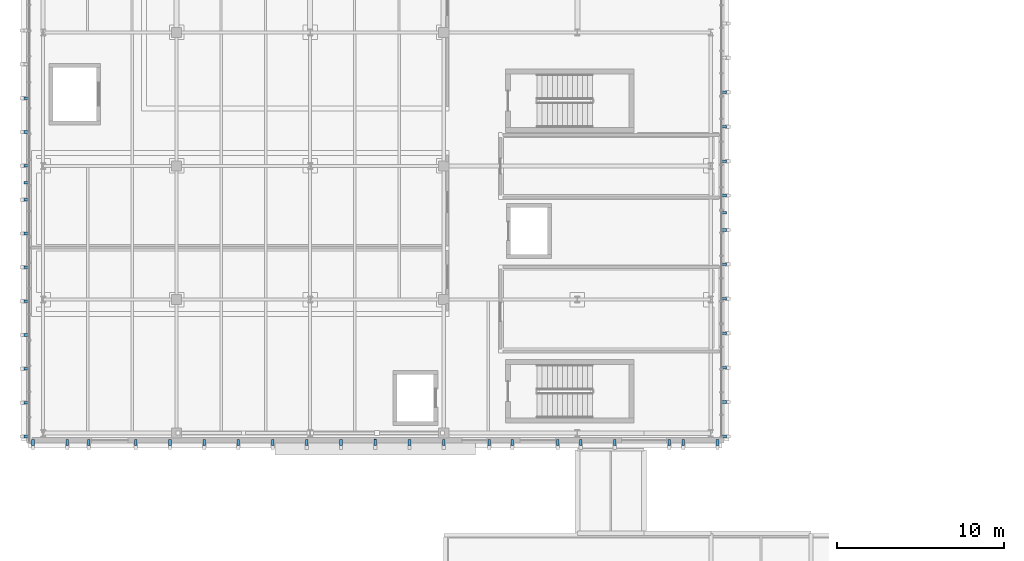
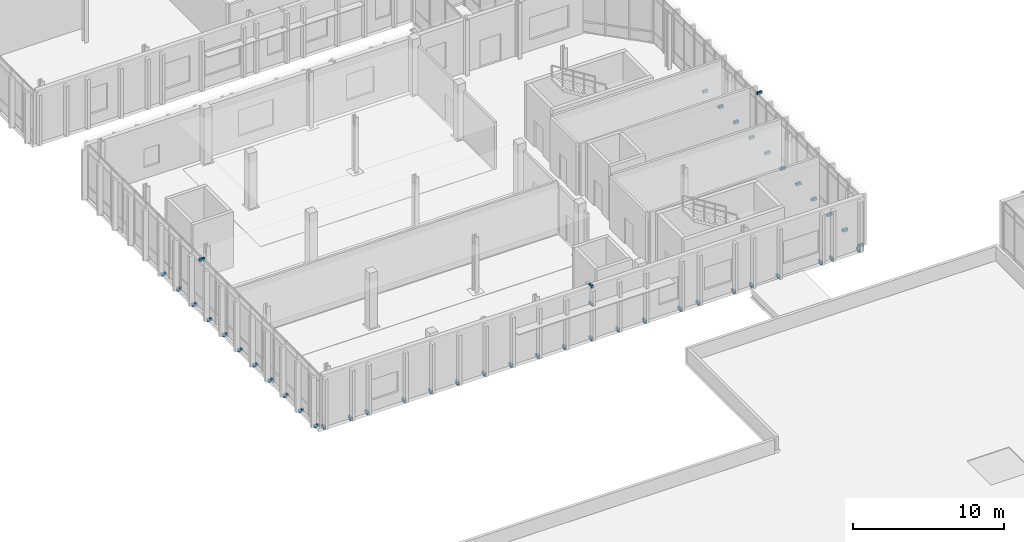
# One storey, part 68 of 86: 47 discrete accessories.
"""IFC4 building model written with IfcOpenShell, lengths in metres."""

from ifc_helpers import new_model, si_unit, direction, frame, origin, origin_2d, place, context, subcontext, project, spatial, rectangle, extrude, material, type_object, element, save


model = new_model("IFC4")

# Units and contexts
model_context = context("Model", 3, precision=1e-05, world=origin(), true_north=direction((0.0, 1.0)))
body_context = subcontext(model_context, "Body", "Model", "MODEL_VIEW")
ifc_project = project(units=[si_unit("LENGTHUNIT", "METRE"), si_unit("AREAUNIT", "SQUARE_METRE"), si_unit("VOLUMEUNIT", "CUBIC_METRE"), si_unit("PLANEANGLEUNIT", "RADIAN"), si_unit("MASSUNIT", "GRAM", prefix="KILO")], contexts=[model_context])

# Site, building, storey
site_placement = place(None, origin())
site = spatial("IfcSite", under=ifc_project, at=site_placement, CompositionType="ELEMENT")
building_placement = place(site_placement, origin())
building = spatial("IfcBuilding", under=site, at=building_placement, Name="Cymarion Research Institute", CompositionType="ELEMENT")
storey_placement = place(building_placement, frame((0.0, 0.0, 13.800048828125)))
storey = spatial("IfcBuildingStorey", under=building, at=storey_placement, Name="L03", CompositionType="ELEMENT", Elevation=13.800048828125)

# Discrete accessories
ifc_material = material(Name="Steel S355", Category="steel")
discrete_accessory_type = type_object("IfcDiscreteAccessoryType", Name="STAINLESS STEEL FACADE FIN BRACKET FBK1", PredefinedType="BRACKET", material=ifc_material)
discrete_accessory_1_placement = place(storey_placement, frame((26.5, 46.93994140625, 4.169921875), z_axis=(0.0, 0.0, 1.0), x_axis=(0.0, -1.0, 0.0)))
element("IfcDiscreteAccessory", 1, at=discrete_accessory_1_placement, inside=storey, type_object=discrete_accessory_type, Name="L03 V4 spandrel brow anchor bracket #665", PredefinedType="BRACKET", context=body_context, shape_type="SweptSolid", body=[
    extrude(rectangle(XDim=0.3798828125, YDim=0.159912109375, at=origin_2d()), origin(), (0.0, 0.0, 1.0), 0.199951171875),
])
for number, where, z_axis, x_axis, name in (
    (2, (6.0, 46.93994140625, -0.08984375), (0.0, 0.0, 1.0), (0.0, -1.0, 0.0), "L03 V4 vertical rib anchor bracket #666"),
    (3, (8.050048828125, 46.93994140625, -0.08984375), (0.0, 0.0, 1.0), (0.0, -1.0, 0.0), "L03 V4 vertical rib anchor bracket #667"),
    (4, (9.340087890625, 46.93994140625, -0.08984375), (0.0, 0.0, 1.0), (0.0, -1.0, 0.0), "L03 V4 vertical rib anchor bracket #668"),
    (5, (12.14990234375, 46.93994140625, -0.08984375), (0.0, 0.0, 1.0), (0.0, -1.0, 0.0), "L03 V4 vertical rib anchor bracket #669"),
    (6, (14.199951171875, 46.93994140625, -0.08984375), (0.0, 0.0, 1.0), (0.0, -1.0, 0.0), "L03 V4 vertical rib anchor bracket #670"),
    (7, (16.25, 46.93994140625, -0.08984375), (0.0, 0.0, 1.0), (0.0, -1.0, 0.0), "L03 V4 vertical rib anchor bracket #671"),
    (8, (18.300048828125, 46.93994140625, -0.08984375), (0.0, 0.0, 1.0), (0.0, -1.0, 0.0), "L03 V4 vertical rib anchor bracket #672"),
    (9, (20.35009765625, 46.93994140625, -0.08984375), (0.0, 0.0, 1.0), (0.0, -1.0, 0.0), "L03 V4 vertical rib anchor bracket #673"),
    (10, (22.39990234375, 46.93994140625, -0.08984375), (0.0, 0.0, 1.0), (0.0, -1.0, 0.0), "L03 V4 vertical rib anchor bracket #674"),
    (11, (24.449951171875, 46.93994140625, -0.08984375), (0.0, 0.0, 1.0), (0.0, -1.0, 0.0), "L03 V4 vertical rib anchor bracket #675"),
    (12, (26.5, 46.93994140625, -0.08984375), (0.0, 0.0, 1.0), (0.0, -1.0, 0.0), "L03 V4 vertical rib anchor bracket #676"),
    (13, (28.550048828125, 46.93994140625, -0.08984375), (0.0, 0.0, 1.0), (0.0, -1.0, 0.0), "L03 V4 vertical rib anchor bracket #677"),
    (14, (30.60009765625, 46.93994140625, -0.08984375), (0.0, 0.0, 1.0), (0.0, -1.0, 0.0), "L03 V4 vertical rib anchor bracket #678"),
    (15, (33.330078125, 46.93994140625, -0.08984375), (0.0, 0.0, 1.0), (0.0, -1.0, 0.0), "L03 V4 vertical rib anchor bracket #679"),
    (16, (34.699951171875, 46.93994140625, -0.08984375), (0.0, 0.0, 1.0), (0.0, -1.0, 0.0), "L03 V4 vertical rib anchor bracket #680"),
    (17, (37.429931640625, 46.93994140625, -0.08984375), (0.0, 0.0, 1.0), (0.0, -1.0, 0.0), "L03 V4 vertical rib anchor bracket #681"),
    (18, (38.800048828125, 46.93994140625, -0.08984375), (0.0, 0.0, 1.0), (0.0, -1.0, 0.0), "L03 V4 vertical rib anchor bracket #682"),
    (19, (40.85009765625, 46.93994140625, -0.08984375), (0.0, 0.0, 1.0), (0.0, -1.0, 0.0), "L03 V4 vertical rib anchor bracket #683"),
    (20, (44.10009765625, 46.93994140625, -0.08984375), (0.0, 0.0, 1.0), (0.0, -1.0, 0.0), "L03 V4 vertical rib anchor bracket #684"),
    (21, (44.949951171875, 46.93994140625, -0.08984375), (0.0, 0.0, 1.0), (0.0, -1.0, 0.0), "L03 V4 vertical rib anchor bracket #685"),
    (22, (47.0, 46.93994140625, -0.08984375), (0.0, 0.0, 1.0), (0.0, -1.0, 0.0), "L03 V4 vertical rib anchor bracket #686"),
):
    element("IfcDiscreteAccessory", number, at=place(storey_placement, frame(where, z_axis=z_axis, x_axis=x_axis)), inside=storey, type_object=discrete_accessory_type, Name=name, PredefinedType="BRACKET", context=body_context, shape_type="SweptSolid", body=[
        extrude(rectangle(XDim=0.3798828125, YDim=0.159912109375, at=origin_2d()), origin(), (0.0, 0.0, 1.0), 0.219970703125),
    ])
discrete_accessory_2_placement = place(storey_placement, frame((26.5, 46.949951171875, 2.72998046875), z_axis=(0.0, 0.0, 1.0), x_axis=(0.0, -1.0, 0.0)))
element("IfcDiscreteAccessory", 23, at=discrete_accessory_2_placement, inside=storey, type_object=discrete_accessory_type, Name="L03 V4 sunshade anchor bracket #7", PredefinedType="BRACKET", context=body_context, shape_type="SweptSolid", body=[
    extrude(rectangle(XDim=0.3798828125, YDim=0.159912109375, at=origin_2d()), origin(), (0.0, 0.0, 1.0), 0.179931640625),
])
discrete_accessory_3_placement = place(storey_placement, frame((47.360107421875, 60.699951171875, 4.169921875), z_axis=(0.0, 0.0, 1.0), x_axis=(1.0, 0.0, 0.0)))
element("IfcDiscreteAccessory", 24, at=discrete_accessory_3_placement, inside=storey, type_object=discrete_accessory_type, Name="L03 V4 spandrel brow anchor bracket #687", PredefinedType="BRACKET", context=body_context, shape_type="SweptSolid", body=[
    extrude(rectangle(XDim=0.3798828125, YDim=0.159912109375, at=origin_2d()), origin(), (0.0, 0.0, 1.0), 0.199951171875),
])
for number, where, z_axis, x_axis, name in (
    (25, (47.360107421875, 47.300048828125, -0.08984375), (0.0, 0.0, 1.0), (1.0, 0.0, 0.0), "L03 V4 vertical rib anchor bracket #688"),
    (26, (47.360107421875, 49.361572265625, -0.08984375), (0.0, 0.0, 1.0), (1.0, 0.0, 0.0), "L03 V4 vertical rib anchor bracket #689"),
    (27, (47.360107421875, 51.423095703125, -0.08984375), (0.0, 0.0, 1.0), (1.0, 0.0, 0.0), "L03 V4 vertical rib anchor bracket #690"),
    (28, (47.360107421875, 53.484619140625, -0.08984375), (0.0, 0.0, 1.0), (1.0, 0.0, 0.0), "L03 V4 vertical rib anchor bracket #691"),
    (29, (47.360107421875, 55.546142578125, -0.08984375), (0.0, 0.0, 1.0), (1.0, 0.0, 0.0), "L03 V4 vertical rib anchor bracket #692"),
    (30, (47.360107421875, 57.607666015625, -0.08984375), (0.0, 0.0, 1.0), (1.0, 0.0, 0.0), "L03 V4 vertical rib anchor bracket #693"),
    (31, (47.360107421875, 59.669189453125, -0.08984375), (0.0, 0.0, 1.0), (1.0, 0.0, 0.0), "L03 V4 vertical rib anchor bracket #694"),
    (32, (47.360107421875, 61.730712890625, -0.08984375), (0.0, 0.0, 1.0), (1.0, 0.0, 0.0), "L03 V4 vertical rib anchor bracket #695"),
    (33, (47.360107421875, 63.792236328125, -0.08984375), (0.0, 0.0, 1.0), (1.0, 0.0, 0.0), "L03 V4 vertical rib anchor bracket #696"),
    (34, (47.360107421875, 65.853759765625, -0.08984375), (0.0, 0.0, 1.0), (1.0, 0.0, 0.0), "L03 V4 vertical rib anchor bracket #697"),
    (35, (47.360107421875, 67.915283203125, -0.08984375), (0.0, 0.0, 1.0), (1.0, 0.0, 0.0), "L03 V4 vertical rib anchor bracket #698"),
):
    element("IfcDiscreteAccessory", number, at=place(storey_placement, frame(where, z_axis=z_axis, x_axis=x_axis)), inside=storey, type_object=discrete_accessory_type, Name=name, PredefinedType="BRACKET", context=body_context, shape_type="SweptSolid", body=[
        extrude(rectangle(XDim=0.3798828125, YDim=0.159912109375, at=origin_2d()), origin(), (0.0, 0.0, 1.0), 0.219970703125),
    ])
discrete_accessory_4_placement = place(storey_placement, frame((5.639892578125, 62.5, 4.169921875), z_axis=(0.0, 0.0, 1.0), x_axis=(-1.0, 0.0, 0.0)))
element("IfcDiscreteAccessory", 36, at=discrete_accessory_4_placement, inside=storey, type_object=discrete_accessory_type, Name="L03 V4 spandrel brow anchor bracket #725", PredefinedType="BRACKET", context=body_context, shape_type="SweptSolid", body=[
    extrude(rectangle(XDim=0.3798828125, YDim=0.159912109375, at=origin_2d()), origin(), (0.0, 0.0, 1.0), 0.199951171875),
])
for number, where, z_axis, x_axis, name in (
    (37, (5.639892578125, 67.566650390625, -0.08984375), (0.0, 0.0, 1.0), (-1.0, 0.0, 0.0), "L03 V4 vertical rib anchor bracket #731"),
    (38, (5.639892578125, 65.5400390625, -0.08984375), (0.0, 0.0, 1.0), (-1.0, 0.0, 0.0), "L03 V4 vertical rib anchor bracket #732"),
    (39, (5.639892578125, 63.51318359375, -0.08984375), (0.0, 0.0, 1.0), (-1.0, 0.0, 0.0), "L03 V4 vertical rib anchor bracket #733"),
    (40, (5.639892578125, 61.48681640625, -0.08984375), (0.0, 0.0, 1.0), (-1.0, 0.0, 0.0), "L03 V4 vertical rib anchor bracket #734"),
    (41, (5.639892578125, 59.4599609375, -0.08984375), (0.0, 0.0, 1.0), (-1.0, 0.0, 0.0), "L03 V4 vertical rib anchor bracket #735"),
    (42, (5.639892578125, 57.433349609375, -0.08984375), (0.0, 0.0, 1.0), (-1.0, 0.0, 0.0), "L03 V4 vertical rib anchor bracket #736"),
    (43, (5.639892578125, 55.40673828125, -0.08984375), (0.0, 0.0, 1.0), (-1.0, 0.0, 0.0), "L03 V4 vertical rib anchor bracket #737"),
    (44, (5.639892578125, 53.3798828125, -0.08984375), (0.0, 0.0, 1.0), (-1.0, 0.0, 0.0), "L03 V4 vertical rib anchor bracket #738"),
    (45, (5.639892578125, 51.353271484375, -0.08984375), (0.0, 0.0, 1.0), (-1.0, 0.0, 0.0), "L03 V4 vertical rib anchor bracket #739"),
    (46, (5.639892578125, 49.32666015625, -0.08984375), (0.0, 0.0, 1.0), (-1.0, 0.0, 0.0), "L03 V4 vertical rib anchor bracket #740"),
    (47, (5.639892578125, 47.300048828125, -0.08984375), (0.0, 0.0, 1.0), (-1.0, 0.0, 0.0), "L03 V4 vertical rib anchor bracket #741"),
):
    element("IfcDiscreteAccessory", number, at=place(storey_placement, frame(where, z_axis=z_axis, x_axis=x_axis)), inside=storey, type_object=discrete_accessory_type, Name=name, PredefinedType="BRACKET", context=body_context, shape_type="SweptSolid", body=[
        extrude(rectangle(XDim=0.3798828125, YDim=0.159912109375, at=origin_2d()), origin(), (0.0, 0.0, 1.0), 0.219970703125),
    ])

save(model, "model.ifc")
